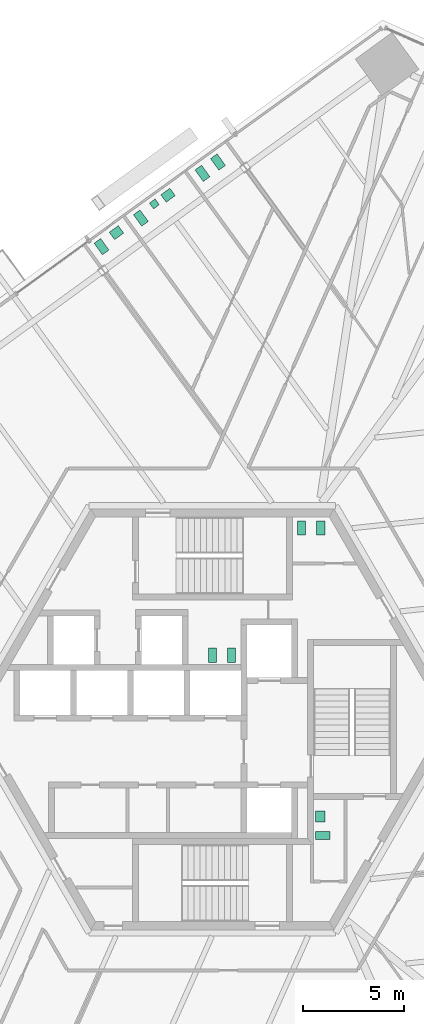
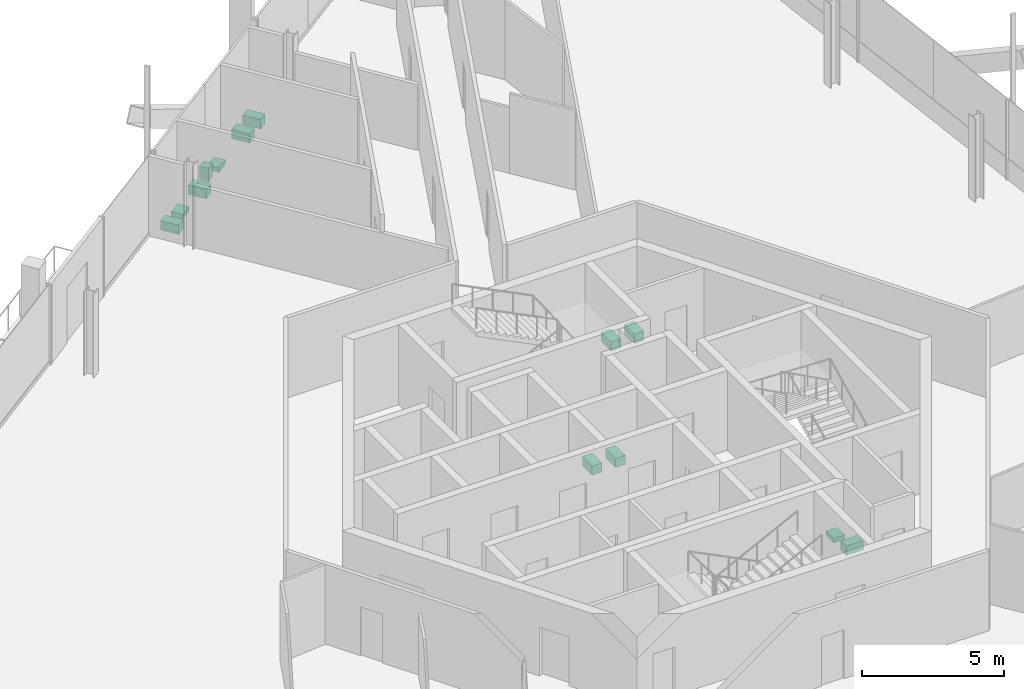
# One storey, part 19 of 21: 13 sanitary terminals.
"""IFC4 building model written with IfcOpenShell, lengths in metres."""

from ifc_helpers import new_model, si_unit, direction, frame, origin, origin_2d, place, context, subcontext, project, spatial, rectangle, extrude, source, transform, mapped, material, element, save


model = new_model("IFC4")

# Units and contexts
model_context = context("Model", 3, precision=1e-05, world=origin(), true_north=direction((0.0, 1.0)))
body_context = subcontext(model_context, "Body", "Model", "MODEL_VIEW")
ifc_project = project(units=[si_unit("LENGTHUNIT", "METRE"), si_unit("AREAUNIT", "SQUARE_METRE"), si_unit("VOLUMEUNIT", "CUBIC_METRE"), si_unit("PLANEANGLEUNIT", "RADIAN"), si_unit("MASSUNIT", "GRAM", prefix="KILO")], contexts=[model_context])

# Site, building, storey
site_placement = place(None, origin())
site = spatial("IfcSite", under=ifc_project, at=site_placement, CompositionType="ELEMENT")
building_placement = place(site_placement, origin())
building = spatial("IfcBuilding", under=site, at=building_placement, Name="Triune Harvest Tower", CompositionType="ELEMENT")
storey_placement = place(building_placement, frame((0.0, 0.0, 65.699951171875)))
storey = spatial("IfcBuildingStorey", under=building, at=storey_placement, Name="L15", CompositionType="ELEMENT", Elevation=65.699951171875)

# Sanitary terminals
ifc_material = material(Name="Vitreous china")
shared_shape_1 = source(origin(), body_context, "Body", "SweptSolid", [
    extrude(rectangle(XDim=0.39990234375, YDim=0.699951171875, at=origin_2d()), origin(), (0.0, 0.0, 1.0), 0.39990234375),
])
for number, where, z_axis, x_axis, name in (
    (1, (4.39990234375, 9.449951171875, 0.0), (0.0, 0.0, 1.0), (1.0, 0.0, 0.0), "Toilet pan L15.c01"),
    (2, (5.35009765625, 9.449951171875, 0.0), (0.0, 0.0, 1.0), (1.0, 0.0, 0.0), "Toilet pan L15.c02"),
    (3, (0.949951171875, 3.159912109375, 0.0), (0.0, 0.0, 1.0), (-1.0, 0.0, 0.0), "Toilet pan L15.c03"),
    (4, (0.0, 3.159912109375, 0.0), (0.0, 0.0, 1.0), (-1.0, 0.0, 0.0), "Toilet pan L15.c04"),
    (5, (5.449951171875, -5.739990234375, 0.0), (0.0, 0.0, 1.0), (0.0, 1.0, 0.0), "Toilet pan L15.c05"),
    (6, (-0.49365234375, 26.95556640625, 0.0), (0.0, 0.0, 1.0), (0.809006735464, 0.587799372213, 0.0), "Toilet pan 01"),
    (7, (0.27490234375, 27.513916015625, 0.0), (0.0, 0.0, 1.0), (0.809006735464, 0.587799372213, 0.0), "Toilet pan 02"),
    (8, (-3.533447265625, 24.7470703125, 0.0), (0.0, 0.0, 1.0), (0.80902725304, 0.587771132193, 0.0), "Toilet pan 03"),
    (9, (-5.47509765625, 23.33642578125, 0.0), (0.0, 0.0, 1.0), (0.809006735464, 0.587799372213, 0.0), "Toilet pan 06"),
):
    element("IfcSanitaryTerminal", number, at=place(storey_placement, frame(where, z_axis=z_axis, x_axis=x_axis)), inside=storey, material=ifc_material, Name=name, PredefinedType="TOILETPAN", context=body_context, shape_type="MappedRepresentation", body=[
        mapped(shared_shape_1, transform((0.0, 0.0, 0.0), scale=1.0)),
    ])
shared_shape_2 = source(origin(), body_context, "Body", "SweptSolid", [
    extrude(rectangle(XDim=0.35009765625, YDim=0.35009765625, at=origin_2d()), origin(), (0.0, 0.0, 1.0), 0.60009765625),
])
sanitary_terminal_placement = place(storey_placement, frame((-2.867919921875, 25.447021484375, 0.0), z_axis=(0.0, 0.0, 1.0), x_axis=(0.80902725304, 0.587771132193, 0.0)))
element("IfcSanitaryTerminal", 10, at=sanitary_terminal_placement, inside=storey, material=ifc_material, Name="Urinal 04", PredefinedType="URINAL", context=body_context, shape_type="MappedRepresentation", body=[
    mapped(shared_shape_2, transform((0.0, 0.0, 0.0), scale=1.0)),
])
shared_shape_3 = source(origin(), body_context, "Body", "SweptSolid", [
    extrude(rectangle(XDim=0.550048828125, YDim=0.449951171875, at=origin_2d()), origin(), (0.0, 0.0, 1.0), 0.199951171875),
])
for number, where, z_axis, x_axis, name in (
    (11, (5.324951171875, -4.7900390625, 0.0), (0.0, 0.0, 1.0), (0.0, 1.0, 0.0), "Wash basin L15.c06"),
    (12, (-2.191162109375, 25.876708984375, 0.0), (0.0, 0.0, 1.0), (0.80902725304, 0.587771132193, 0.0), "Wash basin 05"),
    (13, (-4.739501953125, 24.025390625, 0.0), (0.0, 0.0, 1.0), (0.809006735464, 0.587799372213, 0.0), "Wash basin 07"),
):
    element("IfcSanitaryTerminal", number, at=place(storey_placement, frame(where, z_axis=z_axis, x_axis=x_axis)), inside=storey, material=ifc_material, Name=name, PredefinedType="WASHHANDBASIN", context=body_context, shape_type="MappedRepresentation", body=[
        mapped(shared_shape_3, transform((0.0, 0.0, 0.0), scale=1.0)),
    ])

save(model, "model.ifc")
